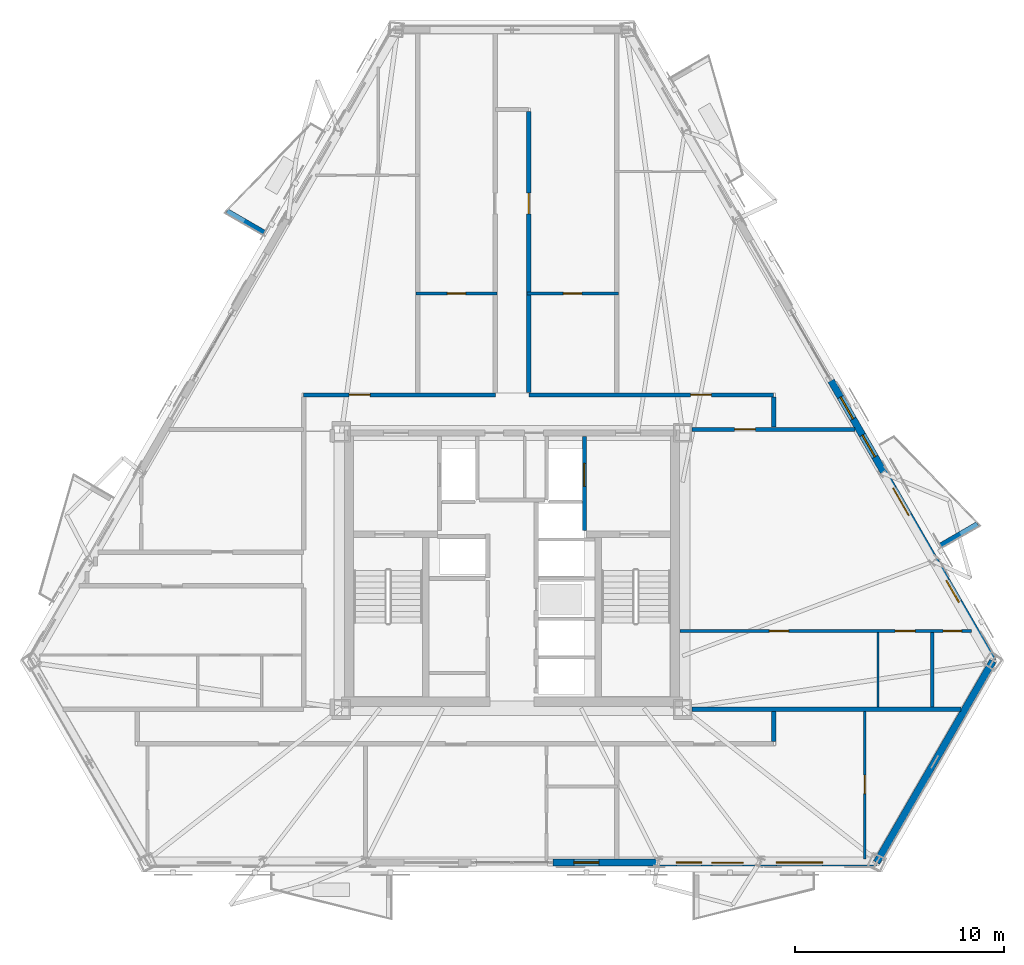
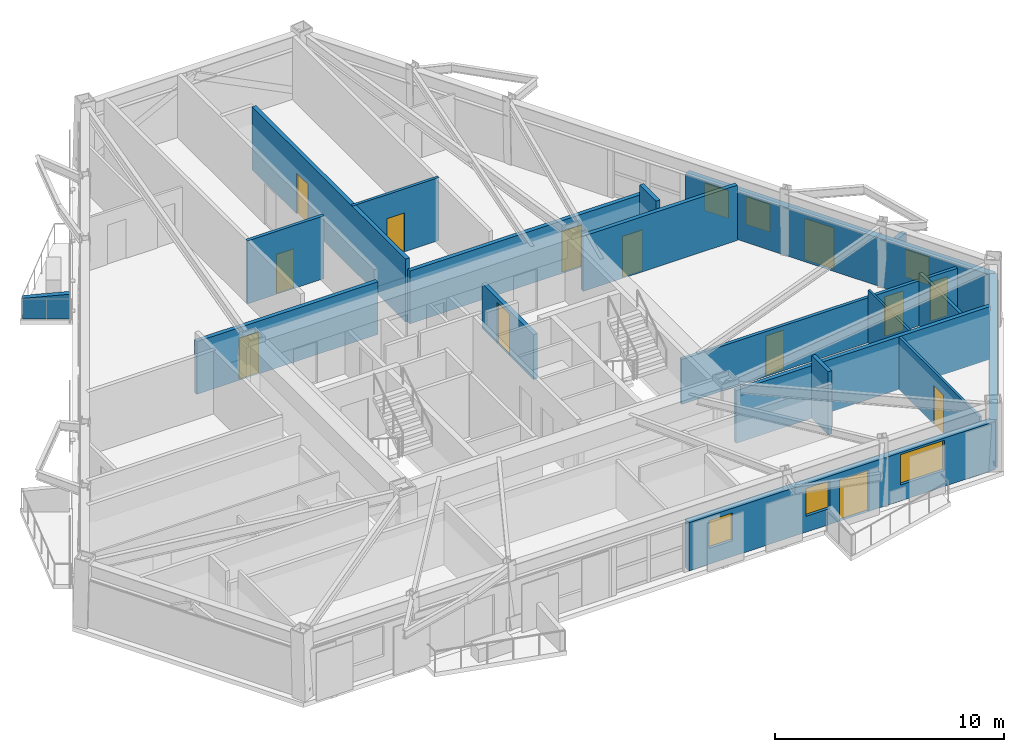
# One storey, part 11 of 16: 19 walls, 13 doors, 6 windows, 19 openings.
"""IFC4 building model written with IfcOpenShell, lengths in metres."""

from ifc_helpers import new_model, si_unit, direction, frame, frame_2d, origin, place, context, subcontext, project, spatial, polyline, rectangle, outline, extrude, material, layer, layer_set, type_object, element, fill, save


model = new_model("IFC4")

# Units and contexts
model_context = context("Model", 3, precision=1e-05, world=origin(), true_north=direction((0.0, 1.0)))
body_context = subcontext(model_context, "Body", "Model", "MODEL_VIEW")
ifc_project = project(units=[si_unit("LENGTHUNIT", "METRE"), si_unit("AREAUNIT", "SQUARE_METRE"), si_unit("VOLUMEUNIT", "CUBIC_METRE"), si_unit("PLANEANGLEUNIT", "RADIAN"), si_unit("MASSUNIT", "GRAM", prefix="KILO")], contexts=[model_context])

# Site, building, storey
site_placement = place(None, origin())
site = spatial("IfcSite", under=ifc_project, at=site_placement, CompositionType="ELEMENT")
building_placement = place(site_placement, origin())
building = spatial("IfcBuilding", under=site, at=building_placement, Name="Oramaril Tower", CompositionType="ELEMENT")
storey_placement = place(building_placement, frame((0.0, 0.0, 115.800048828125)))
storey = spatial("IfcBuildingStorey", under=building, at=storey_placement, Name="L30", CompositionType="ELEMENT", Elevation=115.800048828125)

# Wall, openings, door, windows
ifc_material_1 = material(Name="Warm Cream Limestone", Category="masonry")
ifc_layer_1 = layer(ifc_material_1, 0.340087890625)
ifc_layer_set_1 = layer_set([ifc_layer_1], Name="WT-EXT34")
wall_type_1 = type_object("IfcWallType", Name="WT-EXT34", PredefinedType="SOLIDWALL", material=ifc_layer_set_1)
wall_1_placement = place(storey_placement, frame((39.449951171875, 3.62939453125, 0.0), z_axis=(0.0, 0.0, 1.0), x_axis=(1.0, 0.0, 0.0)))
wall_1 = element("IfcWall", 1, at=wall_1_placement, inside=storey, type_object=wall_type_1, Name="L30 Tower Limestone Facade Wall 2R", PredefinedType="SOLIDWALL", context=body_context, shape_type="SweptSolid", body=[
    extrude(rectangle(XDim=15.463134765625, YDim=0.340087890625, at=frame_2d((7.7314453125, 0.0))), origin(), (0.0, 0.0, 1.0), 2.577880859375),
])
opening_1_placement = place(wall_1_placement, frame((7.59375, 0.0, 0.0)))
opening_1 = element("IfcOpeningElement", 2, at=opening_1_placement, cuts=wall_1, Name="Opening D-L30-BAL-S2", PredefinedType="OPENING", context=body_context, shape_type="SweptSolid", body=[
    extrude(rectangle(XDim=1.5, YDim=2.199951171875, at=frame_2d((0.75, 1.10009765625))), frame((0.0, 0.169921875, 0.0), z_axis=(0.0, -1.0, 0.0), x_axis=(1.0, 0.0, 0.0)), (0.0, 0.0, 1.0), 0.340087890625),
])
opening_2_placement = place(wall_1_placement, frame((1.00048828125, 0.0, 0.85009765625)))
opening_2 = element("IfcOpeningElement", 3, at=opening_2_placement, cuts=wall_1, Name="Opening WN-09", PredefinedType="OPENING", context=body_context, shape_type="SweptSolid", body=[
    extrude(rectangle(XDim=1.199951171875, YDim=1.47998046875, at=frame_2d((0.60009765625, 0.739990234375))), frame((0.0, 0.169921875, 0.0), z_axis=(0.0, -1.0, 0.0), x_axis=(1.0, 0.0, 0.0)), (0.0, 0.0, 1.0), 0.340087890625),
])
opening_3_placement = place(wall_1_placement, frame((5.904052734375, 0.0, 0.85009765625)))
opening_3 = element("IfcOpeningElement", 4, at=opening_3_placement, cuts=wall_1, Name="Opening WN-09", PredefinedType="OPENING", context=body_context, shape_type="SweptSolid", body=[
    extrude(rectangle(XDim=1.199951171875, YDim=1.47998046875, at=frame_2d((0.60009765625, 0.739990234375))), frame((0.0, 0.169921875, 0.0), z_axis=(0.0, -1.0, 0.0), x_axis=(1.0, 0.0, 0.0)), (0.0, 0.0, 1.0), 0.340087890625),
])
opening_4_placement = place(wall_1_placement, frame((10.684326171875, 0.0, 0.85009765625)))
opening_4 = element("IfcOpeningElement", 5, at=opening_4_placement, cuts=wall_1, Name="Opening WN-04", PredefinedType="OPENING", context=body_context, shape_type="SweptSolid", body=[
    extrude(rectangle(XDim=2.199951171875, YDim=1.617919921875, at=frame_2d((1.10009765625, 0.80908203125))), frame((0.0, 0.169921875, 0.0), z_axis=(0.0, -1.0, 0.0), x_axis=(1.0, 0.0, 0.0)), (0.0, 0.0, 1.0), 0.340087890625),
])
ifc_material_2 = material(Name="Anodised Aluminium 6063-T6", Category="aluminium")
door_type_1 = type_object("IfcDoorType", Name="DT-BAL", OperationType="NOTDEFINED", PredefinedType="DOOR", material=ifc_material_2)
door_1_placement = place(opening_1_placement, origin())
door_1 = element("IfcDoor", 6, at=door_1_placement, inside=storey, type_object=door_type_1, Name="L30 Balcony Glazed Door L30-BAL-S2", OperationType="SINGLE_SWING_RIGHT", OverallHeight=2.199951171875, OverallWidth=1.5, PredefinedType="DOOR", context=body_context, shape_type="SweptSolid", body=[
    extrude(rectangle(XDim=1.5, YDim=2.199951171875, at=frame_2d((0.75, 1.10009765625))), frame((0.0, 0.02490234375, 0.0), z_axis=(0.0, -1.0, 0.0), x_axis=(1.0, 0.0, 0.0)), (0.0, 0.0, 1.0), 0.050048828125),
])
fill(opening_1, door_1)
ifc_material_3 = material(Name="Coastal Low-E Insulated Glass", Category="glass")
window_type_1 = type_object("IfcWindowType", Name="WNT-04", PartitioningType="SINGLE_PANEL", PredefinedType="WINDOW", material=ifc_material_3)
window_1_placement = place(opening_4_placement, origin())
window_1 = element("IfcWindow", 7, at=window_1_placement, inside=storey, type_object=window_type_1, Name="L30 Chicago Bay Window WN-04", OverallHeight=1.617919921875, OverallWidth=2.199951171875, PartitioningType="SINGLE_PANEL", PredefinedType="WINDOW", context=body_context, shape_type="SweptSolid", body=[
    extrude(rectangle(XDim=2.199951171875, YDim=1.617919921875, at=frame_2d((1.10009765625, 0.80908203125))), frame((0.0, 0.030029296875, 0.0), z_axis=(0.0, -1.0, 0.0), x_axis=(1.0, 0.0, 0.0)), (0.0, 0.0, 1.0), 0.06005859375),
])
fill(opening_4, window_1)
ifc_material_4 = material(Name="Coastal Low-E Insulated Glass", Category="glass")
window_type_2 = type_object("IfcWindowType", Name="WNT-09", PartitioningType="SINGLE_PANEL", PredefinedType="WINDOW", material=ifc_material_4)
window_2_placement = place(opening_2_placement, origin())
window_2 = element("IfcWindow", 8, at=window_2_placement, inside=storey, type_object=window_type_2, Name="L30 Chicago Bay Window WN-09", OverallHeight=1.47998046875, OverallWidth=1.199951171875, PartitioningType="SINGLE_PANEL", PredefinedType="WINDOW", context=body_context, shape_type="SweptSolid", body=[
    extrude(rectangle(XDim=1.199951171875, YDim=1.47998046875, at=frame_2d((0.60009765625, 0.739990234375))), frame((0.0, 0.030029296875, 0.0), z_axis=(0.0, -1.0, 0.0), x_axis=(1.0, 0.0, 0.0)), (0.0, 0.0, 1.0), 0.06005859375),
])
fill(opening_2, window_2)
window_3_placement = place(opening_3_placement, origin())
window_3 = element("IfcWindow", 9, at=window_3_placement, inside=storey, type_object=window_type_2, Name="L30 Chicago Bay Window WN-09", OverallHeight=1.47998046875, OverallWidth=1.199951171875, PartitioningType="SINGLE_PANEL", PredefinedType="WINDOW", context=body_context, shape_type="SweptSolid", body=[
    extrude(rectangle(XDim=1.199951171875, YDim=1.47998046875, at=frame_2d((0.60009765625, 0.739990234375))), frame((0.0, 0.030029296875, 0.0), z_axis=(0.0, -1.0, 0.0), x_axis=(1.0, 0.0, 0.0)), (0.0, 0.0, 1.0), 0.06005859375),
])
fill(opening_3, window_3)

# Wall
wall_2_placement = place(storey_placement, frame((54.9130859375, 3.62939453125, 0.0), z_axis=(0.0, 0.0, 1.0), x_axis=(0.500013359164, 0.86601769073, 0.0)))
element("IfcWall", 10, at=wall_2_placement, inside=storey, type_object=wall_type_1, Name="L30 Tower Limestone Facade Wall 3M", PredefinedType="SOLIDWALL", context=body_context, shape_type="SweptSolid", body=[
    extrude(rectangle(XDim=11.114990234375, YDim=0.340087890625, at=frame_2d((5.5576171875, 0.0))), origin(), (0.0, 0.0, 1.0), 2.577880859375),
])

# Wall, openings, door, windows
wall_3_placement = place(storey_placement, frame((60.470703125, 13.255126953125, 0.0), z_axis=(0.0, 0.0, 1.0), x_axis=(-0.500009004027, 0.866020205245, 0.0)))
wall_3 = element("IfcWall", 11, at=wall_3_placement, inside=storey, type_object=wall_type_1, Name="L30 Tower Limestone Facade Wall 4L", PredefinedType="SOLIDWALL", context=body_context, shape_type="SweptSolid", body=[
    extrude(rectangle(XDim=15.463134765625, YDim=0.340087890625, at=frame_2d((7.7314453125, 0.0))), origin(), (0.0, 0.0, 1.0), 2.577880859375),
])
opening_5_placement = place(wall_3_placement, frame((8.034423828125, 0.0, 0.0)))
opening_5 = element("IfcOpeningElement", 12, at=opening_5_placement, cuts=wall_3, Name="Opening D-L30-BAL-NE1", PredefinedType="OPENING", context=body_context, shape_type="SweptSolid", body=[
    extrude(rectangle(XDim=1.5, YDim=2.199951171875, at=frame_2d((0.75, 1.10009765625))), frame((0.0, 0.169921875, 0.0), z_axis=(0.0, -1.0, 0.0), x_axis=(1.0, 0.0, 0.0)), (0.0, 0.0, 1.0), 0.340087890625),
])
opening_6_placement = place(wall_3_placement, frame((3.2421875, 0.0, 0.85009765625)))
opening_6 = element("IfcOpeningElement", 13, at=opening_6_placement, cuts=wall_3, Name="Opening WN-09", PredefinedType="OPENING", context=body_context, shape_type="SweptSolid", body=[
    extrude(rectangle(XDim=1.199951171875, YDim=1.47998046875, at=frame_2d((0.60009765625, 0.739990234375))), frame((0.0, 0.169921875, 0.0), z_axis=(0.0, -1.0, 0.0), x_axis=(1.0, 0.0, 0.0)), (0.0, 0.0, 1.0), 0.340087890625),
])
opening_7_placement = place(wall_3_placement, frame((11.264404296875, 0.0, 0.85009765625)))
opening_7 = element("IfcOpeningElement", 14, at=opening_7_placement, cuts=wall_3, Name="Opening WN-09", PredefinedType="OPENING", context=body_context, shape_type="SweptSolid", body=[
    extrude(rectangle(XDim=1.199951171875, YDim=1.47998046875, at=frame_2d((0.60009765625, 0.739990234375))), frame((0.0, 0.169921875, 0.0), z_axis=(0.0, -1.0, 0.0), x_axis=(1.0, 0.0, 0.0)), (0.0, 0.0, 1.0), 0.340087890625),
])
opening_8_placement = place(wall_3_placement, frame((13.358642578125, 0.0, 0.85009765625)))
opening_8 = element("IfcOpeningElement", 15, at=opening_8_placement, cuts=wall_3, Name="Opening WN-09", PredefinedType="OPENING", context=body_context, shape_type="SweptSolid", body=[
    extrude(rectangle(XDim=1.199951171875, YDim=1.47998046875, at=frame_2d((0.60009765625, 0.739990234375))), frame((0.0, 0.169921875, 0.0), z_axis=(0.0, -1.0, 0.0), x_axis=(1.0, 0.0, 0.0)), (0.0, 0.0, 1.0), 0.340087890625),
])
door_2_placement = place(opening_5_placement, origin())
door_2 = element("IfcDoor", 16, at=door_2_placement, inside=storey, type_object=door_type_1, Name="L30 Balcony Glazed Door L30-BAL-NE1", OperationType="SINGLE_SWING_LEFT", OverallHeight=2.199951171875, OverallWidth=1.5, PredefinedType="DOOR", context=body_context, shape_type="SweptSolid", body=[
    extrude(rectangle(XDim=1.5, YDim=2.199951171875, at=frame_2d((0.75, 1.10009765625))), frame((0.0, 0.02490234375, 0.0), z_axis=(0.0, -1.0, 0.0), x_axis=(1.0, 0.0, 0.0)), (0.0, 0.0, 1.0), 0.050048828125),
])
fill(opening_5, door_2)
window_4_placement = place(opening_6_placement, origin())
window_4 = element("IfcWindow", 17, at=window_4_placement, inside=storey, type_object=window_type_2, Name="L30 Chicago Bay Window WN-09", OverallHeight=1.47998046875, OverallWidth=1.199951171875, PartitioningType="SINGLE_PANEL", PredefinedType="WINDOW", context=body_context, shape_type="SweptSolid", body=[
    extrude(rectangle(XDim=1.199951171875, YDim=1.47998046875, at=frame_2d((0.60009765625, 0.739990234375))), frame((0.0, 0.030029296875, 0.0), z_axis=(0.0, -1.0, 0.0), x_axis=(1.0, 0.0, 0.0)), (0.0, 0.0, 1.0), 0.06005859375),
])
fill(opening_6, window_4)
window_5_placement = place(opening_7_placement, origin())
window_5 = element("IfcWindow", 18, at=window_5_placement, inside=storey, type_object=window_type_2, Name="L30 Chicago Bay Window WN-09", OverallHeight=1.47998046875, OverallWidth=1.199951171875, PartitioningType="SINGLE_PANEL", PredefinedType="WINDOW", context=body_context, shape_type="SweptSolid", body=[
    extrude(rectangle(XDim=1.199951171875, YDim=1.47998046875, at=frame_2d((0.60009765625, 0.739990234375))), frame((0.0, 0.030029296875, 0.0), z_axis=(0.0, -1.0, 0.0), x_axis=(1.0, 0.0, 0.0)), (0.0, 0.0, 1.0), 0.06005859375),
])
fill(opening_7, window_5)
window_6_placement = place(opening_8_placement, origin())
window_6 = element("IfcWindow", 19, at=window_6_placement, inside=storey, type_object=window_type_2, Name="L30 Chicago Bay Window WN-09", OverallHeight=1.47998046875, OverallWidth=1.199951171875, PartitioningType="SINGLE_PANEL", PredefinedType="WINDOW", context=body_context, shape_type="SweptSolid", body=[
    extrude(rectangle(XDim=1.199951171875, YDim=1.47998046875, at=frame_2d((0.60009765625, 0.739990234375))), frame((0.0, 0.030029296875, 0.0), z_axis=(0.0, -1.0, 0.0), x_axis=(1.0, 0.0, 0.0)), (0.0, 0.0, 1.0), 0.06005859375),
])
fill(opening_8, window_6)

# Walls
ifc_material_5 = material(Name="Concrete C40/50", Category="concrete")
ifc_layer_2 = layer(ifc_material_5, 0.22998046875)
ifc_layer_set_2 = layer_set([ifc_layer_2], Name="WT-PRP23")
wall_type_2 = type_object("IfcWallType", Name="WT-PRP23", PredefinedType="PARAPET", material=ifc_layer_set_2)
for number, where, z_axis, x_axis, name in (
    (20, (57.96875, 18.784423828125, 0.0), (0.0, 0.0, 1.0), (0.866042246008, 0.499970827278, 0.0), "L30 Trapezoidal Balcony Frame Cheek L30-BAL-NE1-L"),
    (21, (25.659912109375, 33.729736328125, 0.0), (0.0, 0.0, 1.0), (-0.866012356593, 0.500022597718, 0.0), "L30 Trapezoidal Balcony Frame Cheek L30-BAL-NW1-R"),
):
    element("IfcWall", number, at=place(storey_placement, frame(where, z_axis=z_axis, x_axis=x_axis)), inside=storey, type_object=wall_type_2, Name=name, PredefinedType="PARAPET", context=body_context, shape_type="SweptSolid", body=[
        extrude(outline(polyline([(0.0, 0.0), (2.0419921875, 0.0), (2.0419921875, 1.099853515625), (0.0, 1.320068359375), (0.0, 0.0)])), frame((0.0, 0.114990234375, 0.0), z_axis=(0.0, -1.0, 0.0), x_axis=(1.0, 0.0, 0.0)), (0.0, 0.0, 1.0), 0.22998046875),
    ])
ifc_material_6 = material(Name="Acoustic Gypsum Board Partition")
ifc_layer_3 = layer(ifc_material_6, 0.10009765625)
ifc_layer_set_3 = layer_set([ifc_layer_3], Name="WT-PT10")
wall_type_3 = type_object("IfcWallType", Name="WT-PT10", PredefinedType="PARTITIONING", material=ifc_layer_set_3)
wall_4_placement = place(storey_placement, frame((54.97998046875, 11.053955078125, 0.0), z_axis=(0.0, 0.0, 1.0), x_axis=(0.0, 1.0, 0.0)))
element("IfcWall", 22, at=wall_4_placement, inside=storey, type_object=wall_type_3, Name="L30 Interior Partition PT-10", PredefinedType="PARTITIONING", context=body_context, shape_type="SweptSolid", body=[
    extrude(rectangle(XDim=3.552001953125, YDim=0.10009765625, at=frame_2d((1.77587890625, 0.0))), origin(), (0.0, 0.0, 1.0), 2.81396484375),
])

# Wall, opening, door
ifc_material_7 = material(Name="Acoustic Gypsum Board Partition")
ifc_layer_4 = layer(ifc_material_7, 0.1201171875)
ifc_layer_set_4 = layer_set([ifc_layer_4], Name="WT-PT12")
wall_type_4 = type_object("IfcWallType", Name="WT-PT12", PredefinedType="PARTITIONING", material=ifc_layer_set_4)
wall_5_placement = place(storey_placement, frame((54.360107421875, 3.80322265625, 0.0), z_axis=(0.0, 0.0, 1.0), x_axis=(0.0, 1.0, 0.0)))
wall_5 = element("IfcWall", 23, at=wall_5_placement, inside=storey, type_object=wall_type_4, Name="L30 Interior Partition PT-12", PredefinedType="PARTITIONING", context=body_context, shape_type="SweptSolid", body=[
    extrude(rectangle(XDim=7.042724609375, YDim=0.1201171875, at=frame_2d((3.521484375, 0.0))), origin(), (0.0, 0.0, 1.0), 2.81396484375),
])
opening_9_placement = place(wall_5_placement, frame((3.121337890625, 0.0, 0.0)))
opening_9 = element("IfcOpeningElement", 24, at=opening_9_placement, cuts=wall_5, Name="Opening D-L30-26", PredefinedType="OPENING", context=body_context, shape_type="SweptSolid", body=[
    extrude(rectangle(XDim=0.8798828125, YDim=2.080078125, at=frame_2d((0.43994140625, 1.0400390625))), frame((0.0, 0.06005859375, 0.0), z_axis=(0.0, -1.0, 0.0), x_axis=(1.0, 0.0, 0.0)), (0.0, 0.0, 1.0), 0.1201171875),
])
ifc_material_8 = material(Name="FSC Brazilian Freijo Hardwood", Category="wood")
door_type_2 = type_object("IfcDoorType", Name="DT-BATH", OperationType="NOTDEFINED", PredefinedType="DOOR", material=ifc_material_8)
door_3_placement = place(opening_9_placement, origin())
door_3 = element("IfcDoor", 25, at=door_3_placement, inside=storey, type_object=door_type_2, Name="L30 Flat L30-U3 Bathroom Door D-L30-26", OperationType="SINGLE_SWING_RIGHT", OverallHeight=2.080078125, OverallWidth=0.8798828125, PredefinedType="DOOR", context=body_context, shape_type="SweptSolid", body=[
    extrude(rectangle(XDim=0.8798828125, YDim=2.080078125, at=frame_2d((0.43994140625, 1.0400390625))), frame((0.0, 0.02490234375, 0.0), z_axis=(0.0, -1.0, 0.0), x_axis=(1.0, 0.0, 0.0)), (0.0, 0.0, 1.0), 0.050048828125),
])
fill(opening_9, door_3)

ifc_material_9 = material(Name="Acoustic Gypsum Board Partition")
ifc_layer_5 = layer(ifc_material_9, 0.139892578125)
ifc_layer_set_5 = layer_set([ifc_layer_5], Name="WT-PT14")
wall_type_5 = type_object("IfcWallType", Name="WT-PT14", PredefinedType="PARTITIONING", material=ifc_layer_set_5)
wall_6_placement = place(storey_placement, frame((38.218017578125, 30.81005859375, 0.0), z_axis=(0.0, 0.0, 1.0), x_axis=(1.0, 0.0, 0.0)))
wall_6 = element("IfcWall", 26, at=wall_6_placement, inside=storey, type_object=wall_type_5, Name="L30 Interior Partition PT-14", PredefinedType="PARTITIONING", context=body_context, shape_type="SweptSolid", body=[
    extrude(rectangle(XDim=4.364013671875, YDim=0.139892578125, at=frame_2d((2.18212890625, 0.0))), origin(), (0.0, 0.0, 1.0), 3.35986328125),
])
opening_10_placement = place(wall_6_placement, frame((1.741943359375, 0.0, 0.0)))
opening_10 = element("IfcOpeningElement", 27, at=opening_10_placement, cuts=wall_6, Name="Opening D-L30-16", PredefinedType="OPENING", context=body_context, shape_type="SweptSolid", body=[
    extrude(rectangle(XDim=0.8798828125, YDim=2.080078125, at=frame_2d((0.43994140625, 1.0400390625))), frame((0.0, 0.06982421875, 0.0), z_axis=(0.0, -1.0, 0.0), x_axis=(1.0, 0.0, 0.0)), (0.0, 0.0, 1.0), 0.139892578125),
])
door_4_placement = place(opening_10_placement, origin())
door_4 = element("IfcDoor", 28, at=door_4_placement, inside=storey, type_object=door_type_2, Name="L30 Flat L30-U9 Bathroom Door D-L30-16", OperationType="SINGLE_SWING_RIGHT", OverallHeight=2.080078125, OverallWidth=0.8798828125, PredefinedType="DOOR", context=body_context, shape_type="SweptSolid", body=[
    extrude(rectangle(XDim=0.8798828125, YDim=2.080078125, at=frame_2d((0.43994140625, 1.0400390625))), frame((0.0, 0.02490234375, 0.0), z_axis=(0.0, -1.0, 0.0), x_axis=(1.0, 0.0, 0.0)), (0.0, 0.0, 1.0), 0.050048828125),
])
fill(opening_10, door_4)

# Wall, openings, doors
ifc_material_10 = material(Name="Acoustic Gypsum Board Partition")
ifc_layer_6 = layer(ifc_material_10, 0.159912109375)
ifc_layer_set_6 = layer_set([ifc_layer_6], Name="WT-PT16")
wall_type_6 = type_object("IfcWallType", Name="WT-PT16", PredefinedType="PARTITIONING", material=ifc_layer_set_6)
wall_7_placement = place(storey_placement, frame((45.513916015625, 14.68994140625, 0.0), z_axis=(0.0, 0.0, 1.0), x_axis=(1.0, 0.0, 0.0)))
wall_7 = element("IfcWall", 29, at=wall_7_placement, inside=storey, type_object=wall_type_6, Name="L30 Interior Partition PT-16", PredefinedType="PARTITIONING", context=body_context, shape_type="SweptSolid", body=[
    extrude(rectangle(XDim=13.92724609375, YDim=0.159912109375, at=frame_2d((6.963623046875, 0.0))), origin(), (0.0, 0.0, 1.0), 2.39990234375),
])
opening_11_placement = place(wall_7_placement, frame((4.278564453125, 0.0, 0.0)))
opening_11 = element("IfcOpeningElement", 30, at=opening_11_placement, cuts=wall_7, Name="Opening D-L30-07", PredefinedType="OPENING", context=body_context, shape_type="SweptSolid", body=[
    extrude(rectangle(XDim=0.919921875, YDim=2.1201171875, at=frame_2d((0.4599609375, 1.06005859375))), frame((0.0, 0.080078125, 0.0), z_axis=(0.0, -1.0, 0.0), x_axis=(1.0, 0.0, 0.0)), (0.0, 0.0, 1.0), 0.159912109375),
])
opening_12_placement = place(wall_7_placement, frame((10.287109375, 0.0, 0.0)))
opening_12 = element("IfcOpeningElement", 31, at=opening_12_placement, cuts=wall_7, Name="Opening D-L30-08", PredefinedType="OPENING", context=body_context, shape_type="SweptSolid", body=[
    extrude(rectangle(XDim=0.949951171875, YDim=2.10009765625, at=frame_2d((0.47509765625, 1.050048828125))), frame((0.0, 0.080078125, 0.0), z_axis=(0.0, -1.0, 0.0), x_axis=(1.0, 0.0, 0.0)), (0.0, 0.0, 1.0), 0.159912109375),
])
opening_13_placement = place(wall_7_placement, frame((12.5830078125, 0.0, 0.0)))
opening_13 = element("IfcOpeningElement", 32, at=opening_13_placement, cuts=wall_7, Name="Opening D-L30-09", PredefinedType="OPENING", context=body_context, shape_type="SweptSolid", body=[
    extrude(rectangle(XDim=0.8798828125, YDim=2.080078125, at=frame_2d((0.43994140625, 1.0400390625))), frame((0.0, 0.080078125, 0.0), z_axis=(0.0, -1.0, 0.0), x_axis=(1.0, 0.0, 0.0)), (0.0, 0.0, 1.0), 0.159912109375),
])
door_5_placement = place(opening_13_placement, origin())
door_5 = element("IfcDoor", 33, at=door_5_placement, inside=storey, type_object=door_type_2, Name="L30 Flat L30-U6 Bathroom Door D-L30-09", OperationType="SINGLE_SWING_LEFT", OverallHeight=2.080078125, OverallWidth=0.8798828125, PredefinedType="DOOR", context=body_context, shape_type="SweptSolid", body=[
    extrude(rectangle(XDim=0.8798828125, YDim=2.080078125, at=frame_2d((0.43994140625, 1.0400390625))), frame((0.0, 0.02490234375, 0.0), z_axis=(0.0, -1.0, 0.0), x_axis=(1.0, 0.0, 0.0)), (0.0, 0.0, 1.0), 0.050048828125),
])
fill(opening_13, door_5)
ifc_material_11 = material(Name="FSC Brazilian Freijo Hardwood", Category="wood")
door_type_3 = type_object("IfcDoorType", Name="DT-BED", OperationType="NOTDEFINED", PredefinedType="DOOR", material=ifc_material_11)
door_6_placement = place(opening_11_placement, origin())
door_6 = element("IfcDoor", 34, at=door_6_placement, inside=storey, type_object=door_type_3, Name="L30 Flat L30-U6 Master Bedroom Door D-L30-07", OperationType="SINGLE_SWING_LEFT", OverallHeight=2.1201171875, OverallWidth=0.919921875, PredefinedType="DOOR", context=body_context, shape_type="SweptSolid", body=[
    extrude(rectangle(XDim=0.919921875, YDim=2.1201171875, at=frame_2d((0.4599609375, 1.06005859375))), frame((0.0, 0.02490234375, 0.0), z_axis=(0.0, -1.0, 0.0), x_axis=(1.0, 0.0, 0.0)), (0.0, 0.0, 1.0), 0.050048828125),
])
fill(opening_11, door_6)
ifc_material_12 = material(Name="FSC Brazilian Freijo Hardwood", Category="wood")
door_type_4 = type_object("IfcDoorType", Name="DT-STDY", OperationType="NOTDEFINED", PredefinedType="DOOR", material=ifc_material_12)
door_7_placement = place(opening_12_placement, origin())
door_7 = element("IfcDoor", 35, at=door_7_placement, inside=storey, type_object=door_type_4, Name="L30 Flat L30-U6 Kitchen Door D-L30-08", OperationType="SINGLE_SWING_RIGHT", OverallHeight=2.10009765625, OverallWidth=0.949951171875, PredefinedType="DOOR", context=body_context, shape_type="SweptSolid", body=[
    extrude(rectangle(XDim=0.949951171875, YDim=2.10009765625, at=frame_2d((0.47509765625, 1.050048828125))), frame((0.0, 0.02490234375, 0.0), z_axis=(0.0, -1.0, 0.0), x_axis=(1.0, 0.0, 0.0)), (0.0, 0.0, 1.0), 0.050048828125),
])
fill(opening_12, door_7)

# Wall, opening, door
wall_8_placement = place(storey_placement, frame((32.91796875, 30.81005859375, 0.0), z_axis=(0.0, 0.0, 1.0), x_axis=(1.0, 0.0, 0.0)))
wall_8 = element("IfcWall", 36, at=wall_8_placement, inside=storey, type_object=wall_type_6, Name="L30 Interior Partition PT-16", PredefinedType="PARTITIONING", context=body_context, shape_type="SweptSolid", body=[
    extrude(rectangle(XDim=3.864013671875, YDim=0.159912109375, at=frame_2d((1.93212890625, 0.0))), origin(), (0.0, 0.0, 1.0), 3.35986328125),
])
opening_14_placement = place(wall_8_placement, frame((1.491943359375, 0.0, 0.0)))
opening_14 = element("IfcOpeningElement", 37, at=opening_14_placement, cuts=wall_8, Name="Opening D-L30-15", PredefinedType="OPENING", context=body_context, shape_type="SweptSolid", body=[
    extrude(rectangle(XDim=0.8798828125, YDim=2.080078125, at=frame_2d((0.43994140625, 1.0400390625))), frame((0.0, 0.080078125, 0.0), z_axis=(0.0, -1.0, 0.0), x_axis=(1.0, 0.0, 0.0)), (0.0, 0.0, 1.0), 0.159912109375),
])
door_8_placement = place(opening_14_placement, origin())
door_8 = element("IfcDoor", 38, at=door_8_placement, inside=storey, type_object=door_type_2, Name="L30 Flat L30-U8 Bathroom Door D-L30-15", OperationType="SINGLE_SWING_LEFT", OverallHeight=2.080078125, OverallWidth=0.8798828125, PredefinedType="DOOR", context=body_context, shape_type="SweptSolid", body=[
    extrude(rectangle(XDim=0.8798828125, YDim=2.080078125, at=frame_2d((0.43994140625, 1.0400390625))), frame((0.0, 0.02490234375, 0.0), z_axis=(0.0, -1.0, 0.0), x_axis=(1.0, 0.0, 0.0)), (0.0, 0.0, 1.0), 0.050048828125),
])
fill(opening_14, door_8)

# Walls
wall_9_placement = place(storey_placement, frame((57.580078125, 11.053955078125, 0.0), z_axis=(0.0, 0.0, 1.0), x_axis=(0.0, 1.0, 0.0)))
element("IfcWall", 39, at=wall_9_placement, inside=storey, type_object=wall_type_6, Name="L30 Interior Partition PT-16", PredefinedType="PARTITIONING", context=body_context, shape_type="SweptSolid", body=[
    extrude(rectangle(XDim=3.552001953125, YDim=0.159912109375, at=frame_2d((1.77587890625, 0.0))), origin(), (0.0, 0.0, 1.0), 2.81396484375),
])
ifc_material_13 = material(Name="Autoclaved Cellular Concrete Block", Category="concrete")
ifc_layer_7 = layer(ifc_material_13, 0.199951171875)
ifc_layer_set_7 = layer_set([ifc_layer_7], Name="WT-PT20")
wall_type_7 = type_object("IfcWallType", Name="WT-PT20", PredefinedType="PARTITIONING", material=ifc_layer_set_7)
wall_10_placement = place(storey_placement, frame((46.090087890625, 10.949951171875, 0.0), z_axis=(0.0, 0.0, 1.0), x_axis=(1.0, 0.0, 0.0)))
element("IfcWall", 40, at=wall_10_placement, inside=storey, type_object=wall_type_7, Name="L30 Interior Partition PT-20", PredefinedType="PARTITIONING", context=body_context, shape_type="SweptSolid", body=[
    extrude(rectangle(XDim=12.8486328125, YDim=0.199951171875, at=frame_2d((6.42431640625, 0.0))), origin(), (0.0, 0.0, 1.0), 2.81396484375),
])

# Wall, opening, door
wall_11_placement = place(storey_placement, frame((46.090087890625, 24.320068359375, 0.0), z_axis=(0.0, 0.0, 1.0), x_axis=(1.0, 0.0, 0.0)))
wall_11 = element("IfcWall", 41, at=wall_11_placement, inside=storey, type_object=wall_type_7, Name="L30 Interior Partition PT-20", PredefinedType="PARTITIONING", context=body_context, shape_type="SweptSolid", body=[
    extrude(rectangle(XDim=7.791259765625, YDim=0.199951171875, at=frame_2d((3.8955078125, 0.0))), origin(), (0.0, 0.0, 1.0), 2.946044921875),
])
opening_15_placement = place(wall_11_placement, frame((2.040771484375, 0.0, 0.0)))
opening_15 = element("IfcOpeningElement", 42, at=opening_15_placement, cuts=wall_11, Name="Opening D-L30-12", PredefinedType="OPENING", context=body_context, shape_type="SweptSolid", body=[
    extrude(rectangle(XDim=1.0, YDim=2.179931640625, at=frame_2d((0.5, 1.08984375))), frame((0.0, 0.10009765625, 0.0), z_axis=(0.0, -1.0, 0.0), x_axis=(1.0, 0.0, 0.0)), (0.0, 0.0, 1.0), 0.199951171875),
])
ifc_material_14 = material(Name="FSC Brazilian Freijo Hardwood", Category="wood")
door_type_5 = type_object("IfcDoorType", Name="DT-APT", OperationType="NOTDEFINED", PredefinedType="DOOR", material=ifc_material_14)
door_9_placement = place(opening_15_placement, origin())
door_9 = element("IfcDoor", 43, at=door_9_placement, inside=storey, type_object=door_type_5, Name="L30 Flat L30-U6 Penthouse Living and Dining Room Door D-L30-12", OperationType="SINGLE_SWING_RIGHT", OverallHeight=2.179931640625, OverallWidth=1.0, PredefinedType="DOOR", context=body_context, shape_type="SweptSolid", body=[
    extrude(rectangle(XDim=1.0, YDim=2.179931640625, at=frame_2d((0.5, 1.08984375))), frame((0.0, 0.02490234375, 0.0), z_axis=(0.0, -1.0, 0.0), x_axis=(1.0, 0.0, 0.0)), (0.0, 0.0, 1.0), 0.050048828125),
])
fill(opening_15, door_9)

wall_12_placement = place(storey_placement, frame((27.550048828125, 25.969970703125, 0.0), z_axis=(0.0, 0.0, 1.0), x_axis=(1.0, 0.0, 0.0)))
wall_12 = element("IfcWall", 44, at=wall_12_placement, inside=storey, type_object=wall_type_7, Name="L30 Interior Partition PT-20", PredefinedType="PARTITIONING", context=body_context, shape_type="SweptSolid", body=[
    extrude(rectangle(XDim=9.14990234375, YDim=0.199951171875, at=frame_2d((4.574951171875, 0.0))), origin(), (0.0, 0.0, 1.0), 2.81396484375),
])
opening_16_placement = place(wall_12_placement, frame((2.17333984375, 0.0, 0.0)))
opening_16 = element("IfcOpeningElement", 45, at=opening_16_placement, cuts=wall_12, Name="Opening D-L30-13", PredefinedType="OPENING", context=body_context, shape_type="SweptSolid", body=[
    extrude(rectangle(XDim=1.0, YDim=2.179931640625, at=frame_2d((0.5, 1.08984375))), frame((0.0, 0.10009765625, 0.0), z_axis=(0.0, -1.0, 0.0), x_axis=(1.0, 0.0, 0.0)), (0.0, 0.0, 1.0), 0.199951171875),
])
door_10_placement = place(opening_16_placement, origin())
door_10 = element("IfcDoor", 46, at=door_10_placement, inside=storey, type_object=door_type_5, Name="L30 Flat L30-U7 Studio Apartment Door D-L30-13", OperationType="SINGLE_SWING_LEFT", OverallHeight=2.179931640625, OverallWidth=1.0, PredefinedType="DOOR", context=body_context, shape_type="SweptSolid", body=[
    extrude(rectangle(XDim=1.0, YDim=2.179931640625, at=frame_2d((0.5, 1.08984375))), frame((0.0, 0.02490234375, 0.0), z_axis=(0.0, -1.0, 0.0), x_axis=(1.0, 0.0, 0.0)), (0.0, 0.0, 1.0), 0.050048828125),
])
fill(opening_16, door_10)

wall_13_placement = place(storey_placement, frame((38.300048828125, 25.969970703125, 0.0), z_axis=(0.0, 0.0, 1.0), x_axis=(1.0, 0.0, 0.0)))
wall_13 = element("IfcWall", 47, at=wall_13_placement, inside=storey, type_object=wall_type_7, Name="L30 Interior Partition PT-20", PredefinedType="PARTITIONING", context=body_context, shape_type="SweptSolid", body=[
    extrude(rectangle(XDim=11.699951171875, YDim=0.199951171875, at=frame_2d((5.85009765625, 0.0))), origin(), (0.0, 0.0, 1.0), 2.81396484375),
])
opening_17_placement = place(wall_13_placement, frame((7.727294921875, 0.0, 0.0)))
opening_17 = element("IfcOpeningElement", 48, at=opening_17_placement, cuts=wall_13, Name="Opening D-L30-14", PredefinedType="OPENING", context=body_context, shape_type="SweptSolid", body=[
    extrude(rectangle(XDim=1.0, YDim=2.179931640625, at=frame_2d((0.5, 1.08984375))), frame((0.0, 0.10009765625, 0.0), z_axis=(0.0, -1.0, 0.0), x_axis=(1.0, 0.0, 0.0)), (0.0, 0.0, 1.0), 0.199951171875),
])
door_11_placement = place(opening_17_placement, origin())
door_11 = element("IfcDoor", 49, at=door_11_placement, inside=storey, type_object=door_type_5, Name="L30 Flat L30-U10 Kitchen and Studio Apartment Door D-L30-14", OperationType="SINGLE_SWING_RIGHT", OverallHeight=2.179931640625, OverallWidth=1.0, PredefinedType="DOOR", context=body_context, shape_type="SweptSolid", body=[
    extrude(rectangle(XDim=1.0, YDim=2.179931640625, at=frame_2d((0.5, 1.08984375))), frame((0.0, 0.02490234375, 0.0), z_axis=(0.0, -1.0, 0.0), x_axis=(1.0, 0.0, 0.0)), (0.0, 0.0, 1.0), 0.050048828125),
])
fill(opening_17, door_11)

wall_14_placement = place(storey_placement, frame((38.300048828125, 26.073974609375, 0.0), z_axis=(0.0, 0.0, 1.0), x_axis=(0.0, 1.0, 0.0)))
wall_14 = element("IfcWall", 50, at=wall_14_placement, inside=storey, type_object=wall_type_7, Name="L30 Interior Partition PT-20", PredefinedType="PARTITIONING", context=body_context, shape_type="SweptSolid", body=[
    extrude(rectangle(XDim=13.422119140625, YDim=0.199951171875, at=frame_2d((6.7109375, 0.0))), origin(), (0.0, 0.0, 1.0), 3.35986328125),
])
opening_18_placement = place(wall_14_placement, frame((8.537353515625, 0.0, 0.0)))
opening_18 = element("IfcOpeningElement", 51, at=opening_18_placement, cuts=wall_14, Name="Opening D-L30-23", PredefinedType="OPENING", context=body_context, shape_type="SweptSolid", body=[
    extrude(rectangle(XDim=1.0, YDim=2.179931640625, at=frame_2d((0.5, 1.08984375))), frame((0.0, 0.10009765625, 0.0), z_axis=(0.0, -1.0, 0.0), x_axis=(1.0, 0.0, 0.0)), (0.0, 0.0, 1.0), 0.199951171875),
])
door_12_placement = place(opening_18_placement, origin())
door_12 = element("IfcDoor", 52, at=door_12_placement, inside=storey, type_object=door_type_5, Name="L30 Flat L30-U9 Kitchen and Studio Apartment Door D-L30-23", OperationType="SINGLE_SWING_LEFT", OverallHeight=2.179931640625, OverallWidth=1.0, PredefinedType="DOOR", context=body_context, shape_type="SweptSolid", body=[
    extrude(rectangle(XDim=1.0, YDim=2.179931640625, at=frame_2d((0.5, 1.08984375))), frame((0.0, 0.02490234375, 0.0), z_axis=(0.0, -1.0, 0.0), x_axis=(1.0, 0.0, 0.0)), (0.0, 0.0, 1.0), 0.050048828125),
])
fill(opening_18, door_12)

# Walls
for number, where, z_axis, x_axis, name in (
    (53, (50.0, 9.404052734375, 0.0), (0.0, 0.0, 1.0), (0.0, 1.0, 0.0), "L30 Interior Partition PT-20"),
    (54, (50.0, 24.424072265625, 0.0), (0.0, 0.0, 1.0), (0.0, 1.0, 0.0), "L30 Interior Partition PT-20"),
):
    element("IfcWall", number, at=place(storey_placement, frame(where, z_axis=z_axis, x_axis=x_axis)), inside=storey, type_object=wall_type_7, Name=name, PredefinedType="PARTITIONING", context=body_context, shape_type="SweptSolid", body=[
        extrude(rectangle(XDim=1.44189453125, YDim=0.199951171875, at=frame_2d((0.720947265625, 0.0))), origin(), (0.0, 0.0, 1.0), 3.35986328125),
    ])

# Wall, opening, door
ifc_material_15 = material(Name="Autoclaved Cellular Concrete Block", Category="concrete")
ifc_layer_8 = layer(ifc_material_15, 0.199951171875)
ifc_layer_set_8 = layer_set([ifc_layer_8], Name="WT-SHF20")
wall_type_8 = type_object("IfcWallType", Name="WT-SHF20", PredefinedType="PARTITIONING", material=ifc_layer_set_8)
wall_15_placement = place(storey_placement, frame((40.9599609375, 19.47998046875, 0.0), z_axis=(0.0, 0.0, 1.0), x_axis=(0.0, 1.0, 0.0)))
wall_15 = element("IfcWall", 55, at=wall_15_placement, inside=storey, type_object=wall_type_8, Name="L30 FL-2 Lobby Shaft Wall", PredefinedType="PARTITIONING", context=body_context, shape_type="SweptSolid", body=[
    extrude(rectangle(XDim=4.5, YDim=0.199951171875, at=frame_2d((2.25, 0.0))), origin(), (0.0, 0.0, 1.0), 2.39990234375),
])
opening_19_placement = place(wall_15_placement, frame((2.1201171875, 0.0, 0.0)))
opening_19 = element("IfcOpeningElement", 56, at=opening_19_placement, cuts=wall_15, Name="Opening LD-L30-FL-2", PredefinedType="OPENING", context=body_context, shape_type="SweptSolid", body=[
    extrude(rectangle(XDim=1.10009765625, YDim=2.199951171875, at=frame_2d((0.550048828125, 1.10009765625))), frame((0.0, 0.10009765625, 0.0), z_axis=(0.0, -1.0, 0.0), x_axis=(1.0, 0.0, 0.0)), (0.0, 0.0, 1.0), 0.199951171875),
])
ifc_material_16 = material(Name="Stainless Steel 316L", Category="steel")
door_type_6 = type_object("IfcDoorType", Name="DT-LD1", OperationType="NOTDEFINED", PredefinedType="DOOR", material=ifc_material_16)
door_13_placement = place(opening_19_placement, origin())
door_13 = element("IfcDoor", 57, at=door_13_placement, inside=storey, type_object=door_type_6, Name="L30 Lift FL-2 Sliding Landing Door", OperationType="SLIDING_TO_RIGHT", OverallHeight=2.199951171875, OverallWidth=1.10009765625, PredefinedType="DOOR", context=body_context, shape_type="SweptSolid", body=[
    extrude(rectangle(XDim=1.10009765625, YDim=2.199951171875, at=frame_2d((0.550048828125, 1.10009765625))), frame((0.0, 0.02490234375, 0.0), z_axis=(0.0, -1.0, 0.0), x_axis=(1.0, 0.0, 0.0)), (0.0, 0.0, 1.0), 0.050048828125),
])
fill(opening_19, door_13)

save(model, "model.ifc")
